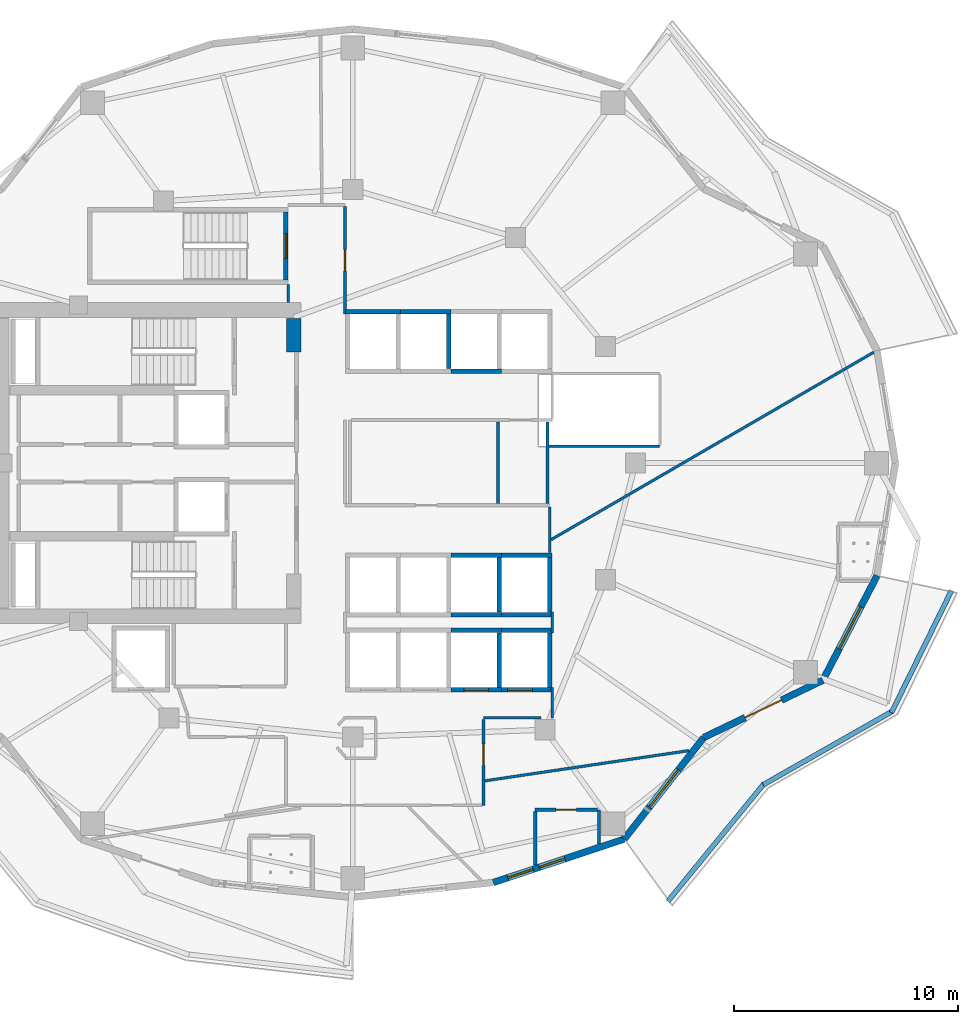
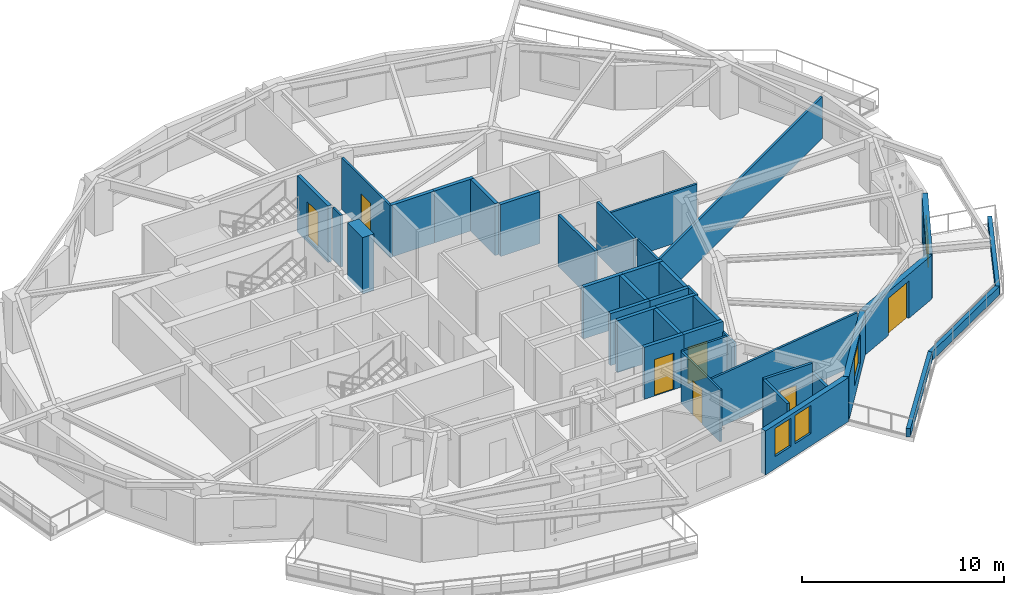
# One storey, part 5 of 14: 40 walls, 7 doors, 4 windows, 11 openings.
"""IFC4 building model written with IfcOpenShell, lengths in metres."""

from ifc_helpers import new_model, si_unit, direction, frame, frame_2d, origin, place, context, subcontext, project, spatial, rectangle, extrude, material, layer, layer_set, type_object, element, fill, save


model = new_model("IFC4")

# Units and contexts
model_context = context("Model", 3, precision=1e-05, world=origin(), true_north=direction((0.0, 1.0)))
body_context = subcontext(model_context, "Body", "Model", "MODEL_VIEW")
ifc_project = project(units=[si_unit("LENGTHUNIT", "METRE"), si_unit("AREAUNIT", "SQUARE_METRE"), si_unit("VOLUMEUNIT", "CUBIC_METRE"), si_unit("PLANEANGLEUNIT", "RADIAN"), si_unit("MASSUNIT", "GRAM", prefix="KILO")], contexts=[model_context])

# Site, building, storey
site_placement = place(None, origin())
site = spatial("IfcSite", under=ifc_project, at=site_placement, CompositionType="ELEMENT")
building_placement = place(site_placement, origin())
building = spatial("IfcBuilding", under=site, at=building_placement, Name="Kolvaren Gate Tower and Convention Centre", CompositionType="ELEMENT")
storey_placement = place(building_placement, frame((0.0, 0.0, 105.300048828125)))
storey = spatial("IfcBuildingStorey", under=building, at=storey_placement, Name="L25", CompositionType="ELEMENT", Elevation=105.300048828125)

# Wall
ifc_material_1 = material(Name="Fire-Rated Acoustic Gypsum Stud Partition", Category="gypsum")
ifc_layer_1 = layer(ifc_material_1, 0.1201171875)
ifc_layer_set_1 = layer_set([ifc_layer_1], Name="Fire-Rated Acoustic Gypsum Stud Partition")
wall_type_1 = type_object("IfcWallType", Name="ARCH-WL-PART-120", PredefinedType="PARTITIONING", material=ifc_layer_set_1)
wall_1_placement = place(storey_placement, frame((35.949951171875, 15.64990234375, 0.0), z_axis=(0.0, 0.0, 1.0), x_axis=(1.0, 0.0, 0.0)))
element("IfcWall", 1, at=wall_1_placement, inside=storey, type_object=wall_type_1, Name="Interior Partition WL-L25-INT-019", PredefinedType="PARTITIONING", context=body_context, shape_type="SweptSolid", body=[
    extrude(rectangle(XDim=2.568115234375, YDim=0.1201171875, at=frame_2d((1.2841796875, 0.0))), origin(), (0.0, 0.0, 1.0), 3.1298828125),
])

# Wall, opening, door
wall_2_placement = place(storey_placement, frame((35.949951171875, 11.75, 0.0), z_axis=(0.0, 0.0, 1.0), x_axis=(0.0, 1.0, 0.0)))
wall_2 = element("IfcWall", 2, at=wall_2_placement, inside=storey, type_object=wall_type_1, Name="Interior Partition WL-L25-INT-020", PredefinedType="PARTITIONING", context=body_context, shape_type="SweptSolid", body=[
    extrude(rectangle(XDim=3.837890625, YDim=0.1201171875, at=frame_2d((1.9189453125, 0.0))), origin(), (0.0, 0.0, 1.0), 3.1298828125),
])
opening_1_placement = place(wall_2_placement, frame((1.77978515625, 0.0, 0.0)))
opening_1 = element("IfcOpeningElement", 3, at=opening_1_placement, cuts=wall_2, Name="Opening DR-01", PredefinedType="OPENING", context=body_context, shape_type="SweptSolid", body=[
    extrude(rectangle(XDim=0.949951171875, YDim=2.10009765625, at=frame_2d((0.47509765625, 1.050048828125))), frame((0.0, 0.070068359375, 0.0), z_axis=(0.0, -1.0, 0.0), x_axis=(1.0, 0.0, 0.0)), (0.0, 0.0, 1.0), 0.14013671875),
])
ifc_material_2 = material(Name="Painted Architectural Steelwork ASTM A500 Grade C 345 MPa", Category="steel")
door_type_1 = type_object("IfcDoorType", Name="ARCH-DR-RISER-950", OperationType="SINGLE_SWING_RIGHT", PredefinedType="DOOR", material=ifc_material_2)
door_1_placement = place(opening_1_placement, origin())
door_1 = element("IfcDoor", 4, at=door_1_placement, inside=storey, type_object=door_type_1, Name="Deluxe Hotel Suite (HTL-L25-03) Door", OperationType="SINGLE_SWING_RIGHT", OverallHeight=2.10009765625, OverallWidth=0.949951171875, PredefinedType="DOOR", context=body_context, shape_type="SweptSolid", body=[
    extrude(rectangle(XDim=0.949951171875, YDim=2.10009765625, at=frame_2d((0.47509765625, 1.050048828125))), frame((0.0, 0.02490234375, 0.0), z_axis=(0.0, -1.0, 0.0), x_axis=(1.0, 0.0, 0.0)), (0.0, 0.0, 1.0), 0.050048828125),
])
fill(opening_1, door_1)

# Wall
wall_3_placement = place(storey_placement, frame((27.25, 34.152099609375, 0.0), z_axis=(0.0, 0.0, 1.0), x_axis=(0.0, 1.0, 0.0)))
element("IfcWall", 5, at=wall_3_placement, inside=storey, type_object=wall_type_1, Name="Interior Partition WL-L25-INT-025", PredefinedType="PARTITIONING", context=body_context, shape_type="SweptSolid", body=[
    extrude(rectangle(XDim=0.805908203125, YDim=0.1201171875, at=frame_2d((0.40283203125, 0.0))), origin(), (0.0, 0.0, 1.0), 3.1298828125),
])

# Wall, opening, door
wall_4_placement = place(storey_placement, frame((29.780029296875, 33.639892578125, 0.0), z_axis=(0.0, 0.0, 1.0), x_axis=(0.0, 1.0, 0.0)))
wall_4 = element("IfcWall", 6, at=wall_4_placement, inside=storey, type_object=wall_type_1, Name="Interior Partition WL-L25-INT-029", PredefinedType="PARTITIONING", context=body_context, shape_type="SweptSolid", body=[
    extrude(rectangle(XDim=4.798095703125, YDim=0.1201171875, at=frame_2d((2.39892578125, 0.0))), origin(), (0.0, 0.0, 1.0), 3.1298828125),
])
opening_2_placement = place(wall_4_placement, frame((1.924072265625, 0.0, 0.0)))
opening_2 = element("IfcOpeningElement", 7, at=opening_2_placement, cuts=wall_4, Name="Opening DR-01", PredefinedType="OPENING", context=body_context, shape_type="SweptSolid", body=[
    extrude(rectangle(XDim=0.949951171875, YDim=2.10009765625, at=frame_2d((0.47509765625, 1.050048828125))), frame((0.0, 0.070068359375, 0.0), z_axis=(0.0, -1.0, 0.0), x_axis=(1.0, 0.0, 0.0)), (0.0, 0.0, 1.0), 0.14013671875),
])
door_2_placement = place(opening_2_placement, origin())
door_2 = element("IfcDoor", 8, at=door_2_placement, inside=storey, type_object=door_type_1, Name="Hotel Botanical Clubroom Door", OperationType="SINGLE_SWING_LEFT", OverallHeight=2.10009765625, OverallWidth=0.949951171875, PredefinedType="DOOR", context=body_context, shape_type="SweptSolid", body=[
    extrude(rectangle(XDim=0.949951171875, YDim=2.10009765625, at=frame_2d((0.47509765625, 1.050048828125))), frame((0.0, 0.02490234375, 0.0), z_axis=(0.0, -1.0, 0.0), x_axis=(1.0, 0.0, 0.0)), (0.0, 0.0, 1.0), 0.050048828125),
])
fill(opening_2, door_2)

# Walls
wall_5_placement = place(storey_placement, frame((39.02001953125, 15.64990234375, 0.0), z_axis=(0.0, 0.0, 1.0), x_axis=(0.0, 1.0, 0.0)))
element("IfcWall", 9, at=wall_5_placement, inside=storey, type_object=wall_type_1, Name="Interior Partition WL-L25-INT-031", PredefinedType="PARTITIONING", context=body_context, shape_type="SweptSolid", body=[
    extrude(rectangle(XDim=1.360107421875, YDim=0.1201171875, at=frame_2d((0.68017578125, 0.0))), origin(), (0.0, 0.0, 1.0), 2.5048828125),
])
wall_6_placement = place(storey_placement, frame((39.02001953125, 19.43994140625, 0.0), z_axis=(0.0, 0.0, 1.0), x_axis=(0.0, 1.0, 0.0)))
element("IfcWall", 10, at=wall_6_placement, inside=storey, type_object=wall_type_1, Name="Interior Partition WL-L25-INT-031 (2)", PredefinedType="PARTITIONING", context=body_context, shape_type="SweptSolid", body=[
    extrude(rectangle(XDim=0.920166015625, YDim=0.1201171875, at=frame_2d((0.4599609375, 0.0))), origin(), (0.0, 0.0, 1.0), 3.1298828125),
])
wall_7_placement = place(storey_placement, frame((38.89990234375, 23.02001953125, 0.0), z_axis=(0.0, 0.0, 1.0), x_axis=(0.0, 1.0, 0.0)))
element("IfcWall", 11, at=wall_7_placement, inside=storey, type_object=wall_type_1, Name="Interior Partition WL-L25-INT-033", PredefinedType="PARTITIONING", context=body_context, shape_type="SweptSolid", body=[
    extrude(rectangle(XDim=2.02294921875, YDim=0.1201171875, at=frame_2d((1.011474609375, 0.0))), origin(), (0.0, 0.0, 1.0), 3.1298828125),
])
wall_8_placement = place(storey_placement, frame((36.011962890625, 12.84326171875, 0.0), z_axis=(0.0, 0.0, 1.0), x_axis=(0.989205313502, 0.146536165297, 0.0)))
element("IfcWall", 12, at=wall_8_placement, inside=storey, type_object=wall_type_1, Name="Interior Partition WL-L25-INT-039", PredefinedType="PARTITIONING", context=body_context, shape_type="SweptSolid", body=[
    extrude(rectangle(XDim=9.205078125, YDim=0.1201171875, at=frame_2d((4.6025390625, 0.0))), origin(), (0.0, 0.0, 1.0), 3.1298828125),
])
wall_9_placement = place(storey_placement, frame((38.9619140625, 23.589111328125, 0.0), z_axis=(0.0, 0.0, 1.0), x_axis=(0.864680370076, 0.502322463768, 0.0)))
element("IfcWall", 13, at=wall_9_placement, inside=storey, type_object=wall_type_1, Name="Interior Partition WL-L25-INT-050", PredefinedType="PARTITIONING", context=body_context, shape_type="SweptSolid", body=[
    extrude(rectangle(XDim=16.6337890625, YDim=0.1201171875, at=frame_2d((8.31689453125, 0.0))), origin(), (0.0, 0.0, 1.0), 2.5048828125),
])
wall_10_placement = place(storey_placement, frame((38.876953125, 27.75, 0.0), z_axis=(0.0, 0.0, 1.0), x_axis=(1.0, 0.0, 0.0)))
element("IfcWall", 14, at=wall_10_placement, inside=storey, type_object=wall_type_1, Name="Interior Partition WL-L25-INT-051", PredefinedType="PARTITIONING", context=body_context, shape_type="SweptSolid", body=[
    extrude(rectangle(XDim=4.923095703125, YDim=0.1201171875, at=frame_2d((2.46142578125, 0.0))), origin(), (0.0, 0.0, 1.0), 3.1298828125),
])
ifc_material_3 = material(Name="Piedmont Cream Honed Limestone Cladding", Category="masonry")
ifc_layer_2 = layer(ifc_material_3, 0.219970703125)
ifc_layer_set_2 = layer_set([ifc_layer_2], Name="Piedmont Cream Honed Limestone Cladding")
wall_type_2 = type_object("IfcWallType", Name="ARCH-WL-PLANTER-220", PredefinedType="PARAPET", material=ifc_layer_set_2)
wall_11_placement = place(storey_placement, frame((44.1669921875, 7.476806640625, 0.0), z_axis=(0.0, 0.0, 1.0), x_axis=(0.633002467947, 0.77414977593, 0.0)))
element("IfcWall", 15, at=wall_11_placement, inside=storey, type_object=wall_type_2, Name="Vertical-Forest Balcony Stone Planter Kerb PK-L25-4.1", PredefinedType="PARAPET", context=body_context, shape_type="SweptSolid", body=[
    extrude(rectangle(XDim=6.7802734375, YDim=0.219970703125, at=frame_2d((3.39013671875, 0.0))), origin(), (0.0, 0.0, 1.0), 0.52001953125),
])
wall_12_placement = place(storey_placement, frame((48.41259765625, 12.667724609375, 0.0), z_axis=(0.0, 0.0, 1.0), x_axis=(0.869187658335, 0.494482370361, 0.0)))
element("IfcWall", 16, at=wall_12_placement, inside=storey, type_object=wall_type_2, Name="Vertical-Forest Balcony Stone Planter Kerb PK-L25-4.2", PredefinedType="PARAPET", context=body_context, shape_type="SweptSolid", body=[
    extrude(rectangle(XDim=6.606201171875, YDim=0.219970703125, at=frame_2d((3.30322265625, 0.0))), origin(), (0.0, 0.0, 1.0), 0.52001953125),
])
wall_13_placement = place(storey_placement, frame((54.12890625, 15.87841796875, 0.0), z_axis=(0.0, 0.0, 1.0), x_axis=(0.441269631716, 0.897374566235, 0.0)))
element("IfcWall", 17, at=wall_13_placement, inside=storey, type_object=wall_type_2, Name="Vertical-Forest Balcony Stone Planter Kerb PK-L25-4.3", PredefinedType="PARAPET", context=body_context, shape_type="SweptSolid", body=[
    extrude(rectangle(XDim=6.05615234375, YDim=0.219970703125, at=frame_2d((3.028076171875, 0.0))), origin(), (0.0, 0.0, 1.0), 0.52001953125),
])
ifc_material_4 = material(Name="Autoclaved Aerated Masonry Blockwork Class 4 (4.0 MPa)", Category="masonry")
ifc_layer_3 = layer(ifc_material_4, 0.199951171875)
ifc_layer_set_3 = layer_set([ifc_layer_3], Name="Autoclaved Aerated Masonry Blockwork Class 4 (4.0 MPa)")
wall_type_3 = type_object("IfcWallType", Name="ARCH-WL-SHAFT-200", PredefinedType="SOLIDWALL", material=ifc_layer_set_3)
wall_14_placement = place(storey_placement, frame((29.800048828125, 33.75, 0.0), z_axis=(0.0, 0.0, 1.0), x_axis=(1.0, 0.0, 0.0)))
element("IfcWall", 18, at=wall_14_placement, inside=storey, type_object=wall_type_3, Name="Elevator PL-01 L25 Fire Shaft Wall N", PredefinedType="SOLIDWALL", context=body_context, shape_type="SweptSolid", body=[
    extrude(rectangle(XDim=2.449951171875, YDim=0.199951171875, at=frame_2d((1.22509765625, 0.0))), origin(), (0.0, 0.0, 1.0), 3.1298828125),
])
wall_15_placement = place(storey_placement, frame((32.25, 33.75, 0.0), z_axis=(0.0, 0.0, 1.0), x_axis=(1.0, 0.0, 0.0)))
element("IfcWall", 19, at=wall_15_placement, inside=storey, type_object=wall_type_3, Name="Elevator PL-02 L25 Fire Shaft Wall N", PredefinedType="SOLIDWALL", context=body_context, shape_type="SweptSolid", body=[
    extrude(rectangle(XDim=2.25, YDim=0.199951171875, at=frame_2d((1.125, 0.0))), origin(), (0.0, 0.0, 1.0), 3.1298828125),
])
wall_16_placement = place(storey_placement, frame((34.39990234375, 31.2099609375, 0.0), z_axis=(0.0, 0.0, 1.0), x_axis=(0.0, 1.0, 0.0)))
element("IfcWall", 20, at=wall_16_placement, inside=storey, type_object=wall_type_3, Name="Elevator PL-02 L25 Fire Shaft Wall E", PredefinedType="SOLIDWALL", context=body_context, shape_type="SweptSolid", body=[
    extrude(rectangle(XDim=2.429931640625, YDim=0.199951171875, at=frame_2d((1.21484375, 0.0))), origin(), (0.0, 0.0, 1.0), 3.1298828125),
])
for number, where, z_axis, x_axis, name in (
    (21, (34.5, 31.10009765625, 0.0), (0.0, 0.0, 1.0), (1.0, 0.0, 0.0), "Elevator PL-03 L25 Fire Shaft Wall S"),
    (22, (34.5, 19.550048828125, 0.0), (0.0, 0.0, 1.0), (1.0, 0.0, 0.0), "Elevator PL-07 L25 Fire Shaft Wall N"),
):
    element("IfcWall", number, at=place(storey_placement, frame(where, z_axis=z_axis, x_axis=x_axis)), inside=storey, type_object=wall_type_3, Name=name, PredefinedType="SOLIDWALL", context=body_context, shape_type="SweptSolid", body=[
        extrude(rectangle(XDim=2.25, YDim=0.199951171875, at=frame_2d((1.125, 0.0))), origin(), (0.0, 0.0, 1.0), 3.1298828125),
    ])

# Wall, opening, door
wall_17_placement = place(storey_placement, frame((34.5, 16.89990234375, 0.0), z_axis=(0.0, 0.0, 1.0), x_axis=(1.0, 0.0, 0.0)))
wall_17 = element("IfcWall", 23, at=wall_17_placement, inside=storey, type_object=wall_type_3, Name="Elevator PL-07 L25 Fire Shaft Wall S", PredefinedType="SOLIDWALL", context=body_context, shape_type="SweptSolid", body=[
    extrude(rectangle(XDim=2.25, YDim=0.199951171875, at=frame_2d((1.125, 0.0))), origin(), (0.0, 0.0, 1.0), 3.1298828125),
])
opening_3_placement = place(wall_17_placement, frame((0.574951171875, 0.0, 0.0)))
opening_3 = element("IfcOpeningElement", 24, at=opening_3_placement, cuts=wall_17, Name="Opening LD", PredefinedType="OPENING", context=body_context, shape_type="SweptSolid", body=[
    extrude(rectangle(XDim=1.10009765625, YDim=2.199951171875, at=frame_2d((0.550048828125, 1.10009765625))), frame((0.0, 0.10986328125, 0.0), z_axis=(0.0, -1.0, 0.0), x_axis=(1.0, 0.0, 0.0)), (0.0, 0.0, 1.0), 0.219970703125),
])
ifc_material_5 = material(Name="Brushed Stainless Steel Grade 316L", Category="steel")
door_type_2 = type_object("IfcDoorType", Name="ARCH-DR-LIFT-1100", OperationType="SLIDING_TO_LEFT", PredefinedType="DOOR", material=ifc_material_5)
door_3_placement = place(opening_3_placement, origin())
door_3 = element("IfcDoor", 25, at=door_3_placement, inside=storey, type_object=door_type_2, Name="Elevator PL-07 L25 Sliding Landing Door", OperationType="SLIDING_TO_LEFT", OverallHeight=2.199951171875, OverallWidth=1.10009765625, PredefinedType="DOOR", context=body_context, shape_type="SweptSolid", body=[
    extrude(rectangle(XDim=1.10009765625, YDim=2.199951171875, at=frame_2d((0.550048828125, 1.10009765625))), frame((0.0, 0.02490234375, 0.0), z_axis=(0.0, -1.0, 0.0), x_axis=(1.0, 0.0, 0.0)), (0.0, 0.0, 1.0), 0.050048828125),
])
fill(opening_3, door_3)

# Walls
wall_18_placement = place(storey_placement, frame((36.64990234375, 17.010009765625, 0.0), z_axis=(0.0, 0.0, 1.0), x_axis=(0.0, 1.0, 0.0)))
element("IfcWall", 26, at=wall_18_placement, inside=storey, type_object=wall_type_3, Name="Elevator PL-07 L25 Fire Shaft Wall E", PredefinedType="SOLIDWALL", context=body_context, shape_type="SweptSolid", body=[
    extrude(rectangle(XDim=2.429931640625, YDim=0.199951171875, at=frame_2d((1.21484375, 0.0))), origin(), (0.0, 0.0, 1.0), 3.1298828125),
])
wall_19_placement = place(storey_placement, frame((36.75, 19.550048828125, 0.0), z_axis=(0.0, 0.0, 1.0), x_axis=(1.0, 0.0, 0.0)))
element("IfcWall", 27, at=wall_19_placement, inside=storey, type_object=wall_type_3, Name="Elevator PL-08 L25 Fire Shaft Wall N", PredefinedType="SOLIDWALL", context=body_context, shape_type="SweptSolid", body=[
    extrude(rectangle(XDim=2.25, YDim=0.199951171875, at=frame_2d((1.125, 0.0))), origin(), (0.0, 0.0, 1.0), 3.1298828125),
])

# Wall, opening, door
wall_20_placement = place(storey_placement, frame((36.75, 16.89990234375, 0.0), z_axis=(0.0, 0.0, 1.0), x_axis=(1.0, 0.0, 0.0)))
wall_20 = element("IfcWall", 28, at=wall_20_placement, inside=storey, type_object=wall_type_3, Name="Elevator PL-08 L25 Fire Shaft Wall S", PredefinedType="SOLIDWALL", context=body_context, shape_type="SweptSolid", body=[
    extrude(rectangle(XDim=2.25, YDim=0.199951171875, at=frame_2d((1.125, 0.0))), origin(), (0.0, 0.0, 1.0), 3.1298828125),
])
opening_4_placement = place(wall_20_placement, frame((0.280029296875, 0.0, 0.0)))
opening_4 = element("IfcOpeningElement", 29, at=opening_4_placement, cuts=wall_20, Name="Opening LD", PredefinedType="OPENING", context=body_context, shape_type="SweptSolid", body=[
    extrude(rectangle(XDim=1.10009765625, YDim=2.199951171875, at=frame_2d((0.550048828125, 1.10009765625))), frame((0.0, 0.10986328125, 0.0), z_axis=(0.0, -1.0, 0.0), x_axis=(1.0, 0.0, 0.0)), (0.0, 0.0, 1.0), 0.219970703125),
])
door_4_placement = place(opening_4_placement, origin())
door_4 = element("IfcDoor", 30, at=door_4_placement, inside=storey, type_object=door_type_2, Name="Elevator PL-08 L25 Sliding Landing Door", OperationType="SLIDING_TO_LEFT", OverallHeight=2.199951171875, OverallWidth=1.10009765625, PredefinedType="DOOR", context=body_context, shape_type="SweptSolid", body=[
    extrude(rectangle(XDim=1.10009765625, YDim=2.199951171875, at=frame_2d((0.550048828125, 1.10009765625))), frame((0.0, 0.02490234375, 0.0), z_axis=(0.0, -1.0, 0.0), x_axis=(1.0, 0.0, 0.0)), (0.0, 0.0, 1.0), 0.050048828125),
])
fill(opening_4, door_4)

# Walls
wall_21_placement = place(storey_placement, frame((38.89990234375, 17.010009765625, 0.0), z_axis=(0.0, 0.0, 1.0), x_axis=(0.0, 1.0, 0.0)))
element("IfcWall", 31, at=wall_21_placement, inside=storey, type_object=wall_type_3, Name="Elevator PL-08 L25 Fire Shaft Wall E", PredefinedType="SOLIDWALL", context=body_context, shape_type="SweptSolid", body=[
    extrude(rectangle(XDim=2.429931640625, YDim=0.199951171875, at=frame_2d((1.21484375, 0.0))), origin(), (0.0, 0.0, 1.0), 3.1298828125),
])
for number, where, z_axis, x_axis, name in (
    (32, (34.5, 22.89990234375, 0.0), (0.0, 0.0, 1.0), (1.0, 0.0, 0.0), "Elevator PL-11 L25 Fire Shaft Wall N"),
    (33, (34.5, 20.25, 0.0), (0.0, 0.0, 1.0), (1.0, 0.0, 0.0), "Elevator PL-11 L25 Fire Shaft Wall S"),
):
    element("IfcWall", number, at=place(storey_placement, frame(where, z_axis=z_axis, x_axis=x_axis)), inside=storey, type_object=wall_type_3, Name=name, PredefinedType="SOLIDWALL", context=body_context, shape_type="SweptSolid", body=[
        extrude(rectangle(XDim=2.25, YDim=0.199951171875, at=frame_2d((1.125, 0.0))), origin(), (0.0, 0.0, 1.0), 3.1298828125),
    ])
wall_22_placement = place(storey_placement, frame((36.64990234375, 20.360107421875, 0.0), z_axis=(0.0, 0.0, 1.0), x_axis=(0.0, 1.0, 0.0)))
element("IfcWall", 34, at=wall_22_placement, inside=storey, type_object=wall_type_3, Name="Elevator PL-11 L25 Fire Shaft Wall E", PredefinedType="SOLIDWALL", context=body_context, shape_type="SweptSolid", body=[
    extrude(rectangle(XDim=2.429931640625, YDim=0.199951171875, at=frame_2d((1.21484375, 0.0))), origin(), (0.0, 0.0, 1.0), 3.1298828125),
])
for number, where, z_axis, x_axis, name in (
    (35, (36.75, 22.89990234375, 0.0), (0.0, 0.0, 1.0), (1.0, 0.0, 0.0), "Elevator PL-12 L25 Fire Shaft Wall N"),
    (36, (36.75, 20.25, 0.0), (0.0, 0.0, 1.0), (1.0, 0.0, 0.0), "Elevator PL-12 L25 Fire Shaft Wall S"),
):
    element("IfcWall", number, at=place(storey_placement, frame(where, z_axis=z_axis, x_axis=x_axis)), inside=storey, type_object=wall_type_3, Name=name, PredefinedType="SOLIDWALL", context=body_context, shape_type="SweptSolid", body=[
        extrude(rectangle(XDim=2.25, YDim=0.199951171875, at=frame_2d((1.125, 0.0))), origin(), (0.0, 0.0, 1.0), 3.1298828125),
    ])
wall_23_placement = place(storey_placement, frame((38.89990234375, 20.360107421875, 0.0), z_axis=(0.0, 0.0, 1.0), x_axis=(0.0, 1.0, 0.0)))
element("IfcWall", 37, at=wall_23_placement, inside=storey, type_object=wall_type_3, Name="Elevator PL-12 L25 Fire Shaft Wall E", PredefinedType="SOLIDWALL", context=body_context, shape_type="SweptSolid", body=[
    extrude(rectangle(XDim=2.429931640625, YDim=0.199951171875, at=frame_2d((1.21484375, 0.0))), origin(), (0.0, 0.0, 1.0), 3.1298828125),
])

# Wall, openings, windows
ifc_layer_4 = layer(ifc_material_3, 0.300048828125)
ifc_layer_set_4 = layer_set([ifc_layer_4], Name="Piedmont Cream Honed Limestone Cladding")
wall_type_4 = type_object("IfcWallType", Name="ARCH-WL-STONE-300", PredefinedType="SOLIDWALL", material=ifc_layer_set_4)
wall_24_placement = place(storey_placement, frame((36.38525390625, 8.309326171875, 0.0), z_axis=(0.0, 0.0, 1.0), x_axis=(0.949238009374, 0.314558741032, 0.0)))
wall_24 = element("IfcWall", 38, at=wall_24_placement, inside=storey, type_object=wall_type_4, Name="Tower L25 Honed Stone Spandrel Wall EW-19", PredefinedType="SOLIDWALL", context=body_context, shape_type="SweptSolid", body=[
    extrude(rectangle(XDim=6.1455078125, YDim=0.300048828125, at=frame_2d((3.07275390625, 0.0))), origin(), (0.0, 0.0, 1.0), 2.65283203125),
])
opening_5_placement = place(wall_24_placement, frame((0.684814453125, 0.0, 0.739990234375)))
opening_5 = element("IfcOpeningElement", 39, at=opening_5_placement, cuts=wall_24, Name="Opening W-04", PredefinedType="OPENING", context=body_context, shape_type="SweptSolid", body=[
    extrude(rectangle(XDim=1.199951171875, YDim=1.699951171875, at=frame_2d((0.60009765625, 0.85009765625))), frame((0.0, 0.159912109375, 0.0), z_axis=(0.0, -1.0, 0.0), x_axis=(1.0, 0.0, 0.0)), (0.0, 0.0, 1.0), 0.320068359375),
])
opening_6_placement = place(wall_24_placement, frame((2.165771484375, 0.0, 0.739990234375)))
opening_6 = element("IfcOpeningElement", 40, at=opening_6_placement, cuts=wall_24, Name="Opening W-04", PredefinedType="OPENING", context=body_context, shape_type="SweptSolid", body=[
    extrude(rectangle(XDim=1.199951171875, YDim=1.699951171875, at=frame_2d((0.60009765625, 0.85009765625))), frame((0.0, 0.159912109375, 0.0), z_axis=(0.0, -1.0, 0.0), x_axis=(1.0, 0.0, 0.0)), (0.0, 0.0, 1.0), 0.320068359375),
])
ifc_material_6 = material(Name="Low-E Triple Insulated Glazing Unit 44 mm", Category="glass")
window_type_1 = type_object("IfcWindowType", Name="ARCH-WN-NARROW-1200", PartitioningType="SINGLE_PANEL", PredefinedType="WINDOW", material=ifc_material_6)
window_1_placement = place(opening_5_placement, origin())
window_1 = element("IfcWindow", 41, at=window_1_placement, inside=storey, type_object=window_type_1, Name="Tower L25 Punched Stone Facade Window W-19", OverallHeight=1.699951171875, OverallWidth=1.199951171875, PartitioningType="SINGLE_PANEL", PredefinedType="WINDOW", context=body_context, shape_type="SweptSolid", body=[
    extrude(rectangle(XDim=1.199951171875, YDim=1.699951171875, at=frame_2d((0.60009765625, 0.85009765625))), frame((0.0, 0.030029296875, 0.0), z_axis=(0.0, -1.0, 0.0), x_axis=(1.0, 0.0, 0.0)), (0.0, 0.0, 1.0), 0.06005859375),
])
fill(opening_5, window_1)
window_2_placement = place(opening_6_placement, origin())
window_2 = element("IfcWindow", 42, at=window_2_placement, inside=storey, type_object=window_type_1, Name="Tower L25 Punched Stone Facade Window W-19B", OverallHeight=1.699951171875, OverallWidth=1.199951171875, PartitioningType="SINGLE_PANEL", PredefinedType="WINDOW", context=body_context, shape_type="SweptSolid", body=[
    extrude(rectangle(XDim=1.199951171875, YDim=1.699951171875, at=frame_2d((0.60009765625, 0.85009765625))), frame((0.0, 0.030029296875, 0.0), z_axis=(0.0, -1.0, 0.0), x_axis=(1.0, 0.0, 0.0)), (0.0, 0.0, 1.0), 0.06005859375),
])
fill(opening_6, window_2)

# Wall, opening, window
wall_25_placement = place(storey_placement, frame((42.21875, 10.242431640625, 0.0), z_axis=(0.0, 0.0, 1.0), x_axis=(0.616435134162, 0.787405693001, 0.0)))
wall_25 = element("IfcWall", 43, at=wall_25_placement, inside=storey, type_object=wall_type_4, Name="Tower L25 Honed Stone Spandrel Wall EW-20", PredefinedType="SOLIDWALL", context=body_context, shape_type="SweptSolid", body=[
    extrude(rectangle(XDim=5.759033203125, YDim=0.300048828125, at=frame_2d((2.87939453125, 0.0))), origin(), (0.0, 0.0, 1.0), 2.65283203125),
])
opening_7_placement = place(wall_25_placement, frame((1.8291015625, 0.0, 0.739990234375)))
opening_7 = element("IfcOpeningElement", 44, at=opening_7_placement, cuts=wall_25, Name="Opening W-02", PredefinedType="OPENING", context=body_context, shape_type="SweptSolid", body=[
    extrude(rectangle(XDim=2.10009765625, YDim=1.699951171875, at=frame_2d((1.050048828125, 0.85009765625))), frame((0.0, 0.159912109375, 0.0), z_axis=(0.0, -1.0, 0.0), x_axis=(1.0, 0.0, 0.0)), (0.0, 0.0, 1.0), 0.320068359375),
])
window_type_2 = type_object("IfcWindowType", Name="ARCH-WN-HTL-2100", PartitioningType="SINGLE_PANEL", PredefinedType="WINDOW", material=ifc_material_6)
window_3_placement = place(opening_7_placement, origin())
window_3 = element("IfcWindow", 45, at=window_3_placement, inside=storey, type_object=window_type_2, Name="Tower L25 Punched Stone Facade Window W-20", OverallHeight=1.699951171875, OverallWidth=2.10009765625, PartitioningType="SINGLE_PANEL", PredefinedType="WINDOW", context=body_context, shape_type="SweptSolid", body=[
    extrude(rectangle(XDim=2.10009765625, YDim=1.699951171875, at=frame_2d((1.050048828125, 0.85009765625))), frame((0.0, 0.030029296875, 0.0), z_axis=(0.0, -1.0, 0.0), x_axis=(1.0, 0.0, 0.0)), (0.0, 0.0, 1.0), 0.06005859375),
])
fill(opening_7, window_3)

# Wall, opening, door
wall_26_placement = place(storey_placement, frame((45.768798828125, 14.777099609375, 0.0), z_axis=(0.0, 0.0, 1.0), x_axis=(0.901370184739, 0.433049408339, 0.0)))
wall_26 = element("IfcWall", 46, at=wall_26_placement, inside=storey, type_object=wall_type_4, Name="Tower L25 Honed Stone Spandrel Wall EW-21", PredefinedType="SOLIDWALL", context=body_context, shape_type="SweptSolid", body=[
    extrude(rectangle(XDim=5.883544921875, YDim=0.300048828125, at=frame_2d((2.94189453125, 0.0))), origin(), (0.0, 0.0, 1.0), 2.65283203125),
])
opening_8_placement = place(wall_26_placement, frame((2.0419921875, 0.0, 0.0)))
opening_8 = element("IfcOpeningElement", 47, at=opening_8_placement, cuts=wall_26, Name="Opening DB-01", PredefinedType="OPENING", context=body_context, shape_type="SweptSolid", body=[
    extrude(rectangle(XDim=1.800048828125, YDim=2.25, at=frame_2d((0.89990234375, 1.125))), frame((0.0, 0.159912109375, 0.0), z_axis=(0.0, -1.0, 0.0), x_axis=(1.0, 0.0, 0.0)), (0.0, 0.0, 1.0), 0.320068359375),
])
ifc_material_7 = material(Name="Anodized Architectural Aluminium Alloy 6063-T6", Category="aluminium")
door_type_3 = type_object("IfcDoorType", Name="ARCH-DR-BALC-1800", OperationType="SLIDING_TO_LEFT", PredefinedType="DOOR", material=ifc_material_7)
door_5_placement = place(opening_8_placement, frame((1.800048828125, 0.0, 0.0), z_axis=(0.0, 0.0, 1.0), x_axis=(-1.0, 0.0, 0.0)))
door_5 = element("IfcDoor", 48, at=door_5_placement, inside=storey, type_object=door_type_3, Name="Planted Sky Terrace Access Door DB-L25-21", OperationType="SLIDING_TO_LEFT", OverallHeight=2.25, OverallWidth=1.800048828125, PredefinedType="DOOR", context=body_context, shape_type="SweptSolid", body=[
    extrude(rectangle(XDim=1.800048828125, YDim=2.25, at=frame_2d((0.89990234375, 1.125))), frame((0.0, 0.02490234375, 0.0), z_axis=(0.0, -1.0, 0.0), x_axis=(1.0, 0.0, 0.0)), (0.0, 0.0, 1.0), 0.050048828125),
])
fill(opening_8, door_5)

# Wall, opening, window
wall_27_placement = place(storey_placement, frame((51.072021484375, 17.324951171875, 0.0), z_axis=(0.0, 0.0, 1.0), x_axis=(0.459767899643, 0.888039119892, 0.0)))
wall_27 = element("IfcWall", 49, at=wall_27_placement, inside=storey, type_object=wall_type_4, Name="Tower L25 Honed Stone Spandrel Wall EW-22", PredefinedType="SOLIDWALL", context=body_context, shape_type="SweptSolid", body=[
    extrude(rectangle(XDim=5.25537109375, YDim=0.300048828125, at=frame_2d((2.627685546875, 0.0))), origin(), (0.0, 0.0, 1.0), 2.65283203125),
])
opening_9_placement = place(wall_27_placement, frame((1.577880859375, 0.0, 0.739990234375)))
opening_9 = element("IfcOpeningElement", 50, at=opening_9_placement, cuts=wall_27, Name="Opening W-02", PredefinedType="OPENING", context=body_context, shape_type="SweptSolid", body=[
    extrude(rectangle(XDim=2.10009765625, YDim=1.699951171875, at=frame_2d((1.050048828125, 0.85009765625))), frame((0.0, 0.159912109375, 0.0), z_axis=(0.0, -1.0, 0.0), x_axis=(1.0, 0.0, 0.0)), (0.0, 0.0, 1.0), 0.320068359375),
])
window_4_placement = place(opening_9_placement, origin())
window_4 = element("IfcWindow", 51, at=window_4_placement, inside=storey, type_object=window_type_2, Name="Tower L25 Punched Stone Facade Window W-22", OverallHeight=1.699951171875, OverallWidth=2.10009765625, PartitioningType="SINGLE_PANEL", PredefinedType="WINDOW", context=body_context, shape_type="SweptSolid", body=[
    extrude(rectangle(XDim=2.10009765625, YDim=1.699951171875, at=frame_2d((1.050048828125, 0.85009765625))), frame((0.0, 0.030029296875, 0.0), z_axis=(0.0, -1.0, 0.0), x_axis=(1.0, 0.0, 0.0)), (0.0, 0.0, 1.0), 0.06005859375),
])
fill(opening_9, window_4)

# Walls
ifc_material_8 = material(Name="Moisture-Resistant Cement-Board Acoustic Partition", Category="gypsum")
ifc_layer_5 = layer(ifc_material_8, 0.14990234375)
ifc_layer_set_5 = layer_set([ifc_layer_5], Name="Moisture-Resistant Cement-Board Acoustic Partition")
wall_type_5 = type_object("IfcWallType", Name="ARCH-WL-WET-150", PredefinedType="PARTITIONING", material=ifc_layer_set_5)
for number, where, z_axis, x_axis, name in (
    (52, (36.60009765625, 25.197021484375, 0.0), (0.0, 0.0, 1.0), (0.0, 1.0, 0.0), "Interior Partition WL-L25-INT-016"),
    (53, (38.800048828125, 25.197021484375, 0.0), (0.0, 0.0, 1.0), (0.0, 1.0, 0.0), "Interior Partition WL-L25-INT-017"),
):
    element("IfcWall", number, at=place(storey_placement, frame(where, z_axis=z_axis, x_axis=x_axis)), inside=storey, type_object=wall_type_5, Name=name, PredefinedType="PARTITIONING", context=body_context, shape_type="SweptSolid", body=[
        extrude(rectangle(XDim=3.64599609375, YDim=0.14990234375, at=frame_2d((1.822998046875, 0.0))), origin(), (0.0, 0.0, 1.0), 3.1298828125),
    ])
wall_28_placement = place(storey_placement, frame((41.10009765625, 10.03173828125, 0.0), z_axis=(0.0, 0.0, 1.0), x_axis=(0.0, 1.0, 0.0)))
element("IfcWall", 54, at=wall_28_placement, inside=storey, type_object=wall_type_5, Name="Interior Partition WL-L25-INT-044", PredefinedType="PARTITIONING", context=body_context, shape_type="SweptSolid", body=[
    extrude(rectangle(XDim=1.518310546875, YDim=0.14990234375, at=frame_2d((0.75927734375, 0.0))), origin(), (0.0, 0.0, 1.0), 2.5048828125),
])

# Wall, opening, door
wall_29_placement = place(storey_placement, frame((38.25, 11.550048828125, 0.0), z_axis=(0.0, 0.0, 1.0), x_axis=(1.0, 0.0, 0.0)))
wall_29 = element("IfcWall", 55, at=wall_29_placement, inside=storey, type_object=wall_type_5, Name="Interior Partition WL-L25-INT-045", PredefinedType="PARTITIONING", context=body_context, shape_type="SweptSolid", body=[
    extrude(rectangle(XDim=2.77294921875, YDim=0.14990234375, at=frame_2d((1.386474609375, 0.0))), origin(), (0.0, 0.0, 1.0), 3.1298828125),
])
opening_10_placement = place(wall_29_placement, frame((0.9365234375, 0.0, 0.0)))
opening_10 = element("IfcOpeningElement", 56, at=opening_10_placement, cuts=wall_29, Name="Opening DW-01", PredefinedType="OPENING", context=body_context, shape_type="SweptSolid", body=[
    extrude(rectangle(XDim=0.89990234375, YDim=2.10009765625, at=frame_2d((0.449951171875, 1.050048828125))), frame((0.0, 0.0849609375, 0.0), z_axis=(0.0, -1.0, 0.0), x_axis=(1.0, 0.0, 0.0)), (0.0, 0.0, 1.0), 0.169921875),
])
ifc_material_9 = material(Name="FSC Andean Oak Engineered Veneer Door Leaf", Category="wood")
door_type_4 = type_object("IfcDoorType", Name="ARCH-DR-WC-900", OperationType="SINGLE_SWING_RIGHT", PredefinedType="DOOR", material=ifc_material_9)
door_6_placement = place(opening_10_placement, origin())
door_6 = element("IfcDoor", 57, at=door_6_placement, inside=storey, type_object=door_type_4, Name="En-suite Bathroom (HTL-L25-02) Door", OperationType="SINGLE_SWING_RIGHT", OverallHeight=2.10009765625, OverallWidth=0.89990234375, PredefinedType="DOOR", context=body_context, shape_type="SweptSolid", body=[
    extrude(rectangle(XDim=0.89990234375, YDim=2.10009765625, at=frame_2d((0.449951171875, 1.050048828125))), frame((0.0, 0.02490234375, 0.0), z_axis=(0.0, -1.0, 0.0), x_axis=(1.0, 0.0, 0.0)), (0.0, 0.0, 1.0), 0.050048828125),
])
fill(opening_10, door_6)

# Walls
wall_30_placement = place(storey_placement, frame((38.25, 9.08740234375, 0.0), z_axis=(0.0, 0.0, 1.0), x_axis=(0.0, 1.0, 0.0)))
element("IfcWall", 58, at=wall_30_placement, inside=storey, type_object=wall_type_5, Name="Interior Partition WL-L25-INT-046", PredefinedType="PARTITIONING", context=body_context, shape_type="SweptSolid", body=[
    extrude(rectangle(XDim=2.385498046875, YDim=0.14990234375, at=frame_2d((1.19287109375, 0.0))), origin(), (0.0, 0.0, 1.0), 3.1298828125),
])
ifc_material_10 = material(Name="Concrete C60/75", Category="concrete")
ifc_layer_6 = layer(ifc_material_10, 0.64990234375)
ifc_layer_set_6 = layer_set([ifc_layer_6], Name="Concrete C60/75")
wall_type_6 = type_object("IfcWallType", Name="STR-WL-CORE-650", PredefinedType="SHEAR", material=ifc_layer_set_6)
wall_31_placement = place(storey_placement, frame((27.5, 31.949951171875, -0.27001953125), z_axis=(0.0, 0.0, 1.0), x_axis=(0.0, 1.0, 0.0)))
element("IfcWall", 59, at=wall_31_placement, inside=storey, type_object=wall_type_6, Name="Tower L25 Offset Core Shear Wall EN", PredefinedType="SHEAR", context=body_context, shape_type="SweptSolid", body=[
    extrude(rectangle(XDim=1.5, YDim=0.64990234375, at=frame_2d((0.75, 0.0))), origin(), (0.0, 0.0, 1.0), 3.39990234375),
])

# Wall, opening, door
ifc_material_11 = material(Name="Concrete C50/60", Category="concrete")
ifc_layer_7 = layer(ifc_material_11, 0.199951171875)
ifc_layer_set_7 = layer_set([ifc_layer_7], Name="Concrete C50/60")
wall_type_7 = type_object("IfcWallType", Name="STR-WL-SHAFT-200", PredefinedType="SHEAR", material=ifc_layer_set_7)
wall_32_placement = place(storey_placement, frame((27.14990234375, 35.159912109375, -0.27001953125), z_axis=(0.0, 0.0, 1.0), x_axis=(0.0, 1.0, 0.0)))
wall_32 = element("IfcWall", 60, at=wall_32_placement, inside=storey, type_object=wall_type_7, Name="Tower Mid-Zone Exit Stair ST-T3 L25 Structural Shear Enclosure Wall NEAR", PredefinedType="SHEAR", context=body_context, shape_type="SweptSolid", body=[
    extrude(rectangle(XDim=3.0400390625, YDim=0.199951171875, at=frame_2d((1.52001953125, 0.0))), origin(), (0.0, 0.0, 1.0), 3.39990234375),
])
opening_11_placement = place(wall_32_placement, frame((0.969970703125, 0.0, 0.27001953125)))
opening_11 = element("IfcOpeningElement", 61, at=opening_11_placement, cuts=wall_32, Name="Opening DS-01", PredefinedType="OPENING", context=body_context, shape_type="SweptSolid", body=[
    extrude(rectangle(XDim=1.10009765625, YDim=2.14990234375, at=frame_2d((0.550048828125, 1.074951171875))), frame((0.0, 0.10986328125, 0.0), z_axis=(0.0, -1.0, 0.0), x_axis=(1.0, 0.0, 0.0)), (0.0, 0.0, 1.0), 0.219970703125),
])
door_type_5 = type_object("IfcDoorType", Name="ARCH-DR-STAIR-1100", OperationType="SINGLE_SWING_LEFT", PredefinedType="DOOR", material=ifc_material_2)
door_7_placement = place(opening_11_placement, origin())
door_7 = element("IfcDoor", 62, at=door_7_placement, inside=storey, type_object=door_type_5, Name="Tower Mid-Zone Exit Stair ST-T3 L25 Fire Exit Stair Door", OperationType="SINGLE_SWING_LEFT", OverallHeight=2.14990234375, OverallWidth=1.10009765625, PredefinedType="DOOR", context=body_context, shape_type="SweptSolid", body=[
    extrude(rectangle(XDim=1.10009765625, YDim=2.14990234375, at=frame_2d((0.550048828125, 1.074951171875))), frame((0.0, 0.02490234375, 0.0), z_axis=(0.0, -1.0, 0.0), x_axis=(1.0, 0.0, 0.0)), (0.0, 0.0, 1.0), 0.050048828125),
])
fill(opening_11, door_7)

save(model, "model.ifc")
